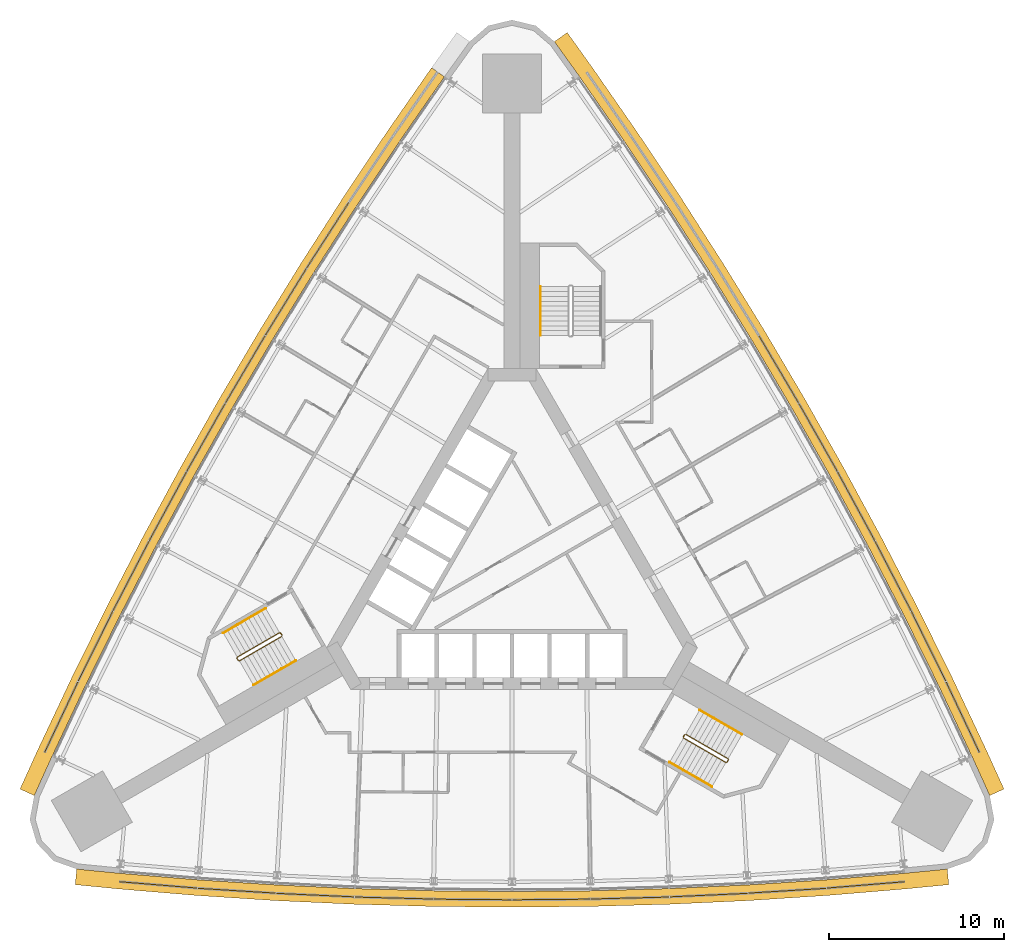
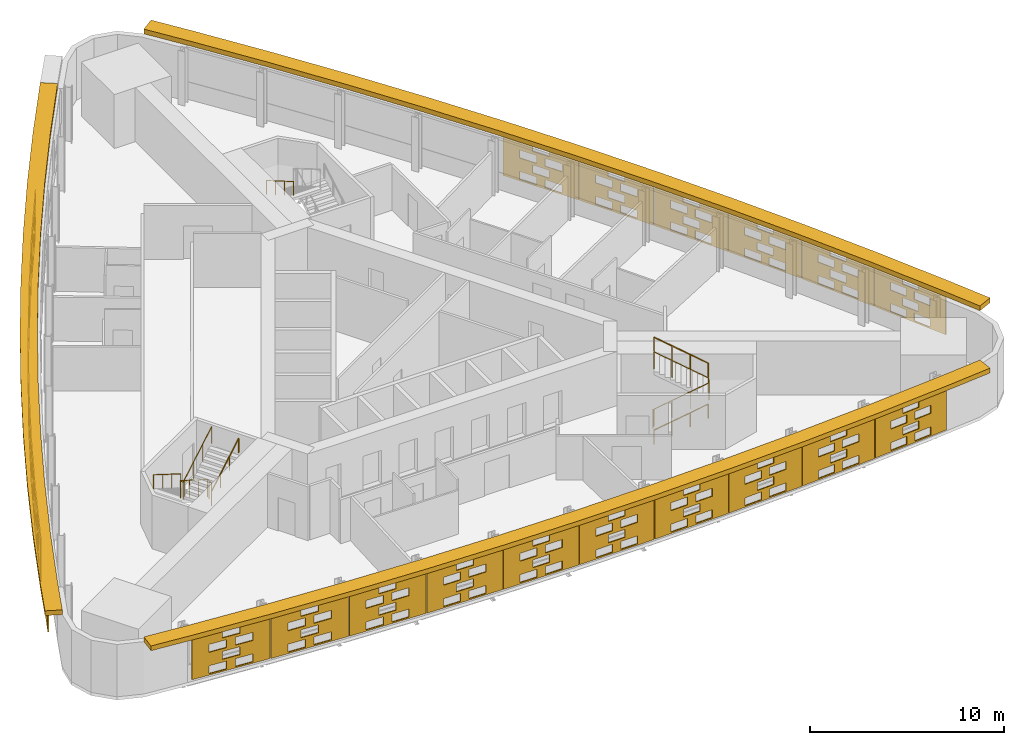
# One storey, part 14 of 15: 27 shading devices, 7 railings.
"""IFC4 building model written with IfcOpenShell, lengths in metres."""

from ifc_helpers import new_model, si_unit, direction, frame, origin, origin_2d, place, context, subcontext, project, spatial, polyline, circle, outline, extrude, material, material_profile, profile_set, type_object, element, save


model = new_model("IFC4")

# Units and contexts
model_context = context("Model", 3, precision=1e-05, world=origin(), true_north=direction((0.0, 1.0)))
body_context = subcontext(model_context, "Body", "Model", "MODEL_VIEW")
ifc_project = project(units=[si_unit("LENGTHUNIT", "METRE"), si_unit("AREAUNIT", "SQUARE_METRE"), si_unit("VOLUMEUNIT", "CUBIC_METRE"), si_unit("PLANEANGLEUNIT", "RADIAN"), si_unit("MASSUNIT", "GRAM", prefix="KILO")], contexts=[model_context])

# Site, building, storey
site_placement = place(None, origin())
site = spatial("IfcSite", under=ifc_project, at=site_placement, CompositionType="ELEMENT")
building_placement = place(site_placement, origin())
building = spatial("IfcBuilding", under=site, at=building_placement, Name="Noor Cloister Tower", CompositionType="ELEMENT")
storey_placement = place(building_placement, frame((0.0, 0.0, 27.60009765625)))
storey = spatial("IfcBuildingStorey", under=building, at=storey_placement, Name="L06", CompositionType="ELEMENT", Elevation=27.60009765625)

# Shading devices
ifc_material_1 = material(Name="Limestone", Category="masonry")
ifc_material_profile = material_profile(ifc_material_1, outline(polyline([(-2.22998046875, -1.35009765625), (2.22998046875, -1.35009765625), (2.22998046875, 1.35009765625), (-2.22998046875, 1.35009765625), (-2.22998046875, -1.35009765625)]), holes=[polyline([(-1.25, -1.263427734375), (-0.25, -1.263427734375), (-0.25, -0.76171875), (-1.25, -0.76171875), (-1.25, -1.263427734375)]), polyline([(0.25, -1.263427734375), (1.25, -1.263427734375), (1.25, -0.76171875), (0.25, -0.76171875), (0.25, -1.263427734375)]), polyline([(-0.5, -0.58837890625), (0.5, -0.58837890625), (0.5, -0.086669921875), (-0.5, -0.086669921875), (-0.5, -0.58837890625)]), polyline([(-1.25, 0.086669921875), (-0.25, 0.086669921875), (-0.25, 0.58837890625), (-1.25, 0.58837890625), (-1.25, 0.086669921875)]), polyline([(0.25, 0.086669921875), (1.25, 0.086669921875), (1.25, 0.58837890625), (0.25, 0.58837890625), (0.25, 0.086669921875)]), polyline([(-0.5, 0.76171875), (0.5, 0.76171875), (0.5, 1.263427734375), (-0.5, 1.263427734375), (-0.5, 0.76171875)])]), Name="Woven screen 25 percent open")
ifc_profile_set = profile_set([ifc_material_profile], Name="Limestone")
shading_device_type_1 = type_object("IfcShadingDeviceType", Name="SCREEN woven limestone 25 percent open", PredefinedType="USERDEFINED", material=ifc_profile_set)
for number, where, z_axis, x_axis, name in (
    (1, (-10.528076171875, 19.087646484375, 1.849853515625), (-0.841310503427, 0.540552159207, 0.0), (-0.540552159207, -0.841310503427, 0.0), "SCREEN L06 3"),
    (2, (-12.92529296875, 15.269775390625, 1.849853515625), (-0.852075986308, 0.523418105875, 0.0), (-0.523418105875, -0.852075986308, 0.0), "SCREEN L06 4"),
    (3, (-15.25146484375, 11.408203125, 1.849853515625), (-0.86141148773, 0.507907716822, 0.0), (-0.507907716822, -0.86141148773, 0.0), "SCREEN L06 5"),
    (4, (-17.505615234375, 7.504150390625, 1.849853515625), (-0.87048706901, 0.492191286683, 0.0), (-0.492191286683, -0.87048706901, 0.0), "SCREEN L06 6"),
    (5, (-19.686767578125, 3.558837890625, 1.849853515625), (-0.879291966537, 0.476283148541, 0.0), (-0.476283148541, -0.879291966537, 0.0), "SCREEN L06 7"),
    (6, (-21.79443359375, -0.42626953125, 1.849853515625), (-0.887816162103, 0.460198285861, 0.0), (-0.460198285861, -0.887816162103, 0.0), "SCREEN L06 8"),
    (7, (-23.827880859375, -4.44970703125, 1.849853515625), (-0.896050438544, 0.443952262733, 0.0), (-0.443952262733, -0.896050438544, 0.0), "SCREEN L06 9"),
    (8, (-25.7861328125, -8.51025390625, 1.849853515625), (-0.90398642908, 0.427561148889, 0.0), (-0.427561148889, -0.90398642908, 0.0), "SCREEN L06 10"),
    (9, (-20.26318359375, -18.076416015625, 1.849853515625), (-0.081362009455, -0.996684615823, 0.0), (0.996684615823, -0.081362009455, 0.0), "SCREEN L06 1"),
):
    element("IfcShadingDevice", number, at=place(storey_placement, frame(where, z_axis=z_axis, x_axis=x_axis)), inside=storey, type_object=shading_device_type_1, Name=name, ObjectType="SCREEN", PredefinedType="USERDEFINED", context=body_context, shape_type="SweptSolid", body=[
        extrude(outline(polyline([(-2.22998046875, -1.35009765625), (2.22998046875, -1.35009765625), (2.22998046875, 1.35009765625), (-2.22998046875, 1.35009765625), (-2.22998046875, -1.35009765625)]), holes=[polyline([(-1.25, -1.263427734375), (-0.25, -1.263427734375), (-0.25, -0.76171875), (-1.25, -0.76171875), (-1.25, -1.263427734375)]), polyline([(0.25, -1.263427734375), (1.25, -1.263427734375), (1.25, -0.76171875), (0.25, -0.76171875), (0.25, -1.263427734375)]), polyline([(-0.5, -0.58837890625), (0.5, -0.58837890625), (0.5, -0.086669921875), (-0.5, -0.086669921875), (-0.5, -0.58837890625)]), polyline([(-1.25, 0.086669921875), (-0.25, 0.086669921875), (-0.25, 0.58837890625), (-1.25, 0.58837890625), (-1.25, 0.086669921875)]), polyline([(0.25, 0.086669921875), (1.25, 0.086669921875), (1.25, 0.58837890625), (0.25, 0.58837890625), (0.25, 0.086669921875)]), polyline([(-0.5, 0.76171875), (0.5, 0.76171875), (0.5, 1.263427734375), (-0.5, 1.263427734375), (-0.5, 0.76171875)])]), origin(), (0.0, 0.0, 1.0), 0.06005859375),
    ])
shading_device_1_placement = place(storey_placement, frame((-15.767578125, -18.41064453125, 1.849853515625), z_axis=(-0.06111006328, -0.998131033565, 0.0), x_axis=(0.998131033565, -0.06111006328, 0.0)))
element("IfcShadingDevice", 10, at=shading_device_1_placement, inside=storey, type_object=shading_device_type_1, Name="SCREEN L06 2", ObjectType="SCREEN", PredefinedType="USERDEFINED", context=body_context, shape_type="SweptSolid", body=[
    extrude(outline(polyline([(-2.22998046875, -1.35009765625), (2.22998046875, -1.35009765625), (2.22998046875, 1.35009765625), (-2.22998046875, 1.35009765625), (-2.22998046875, -1.35009765625)]), holes=[polyline([(-1.25, -1.263427734375), (-0.25, -1.263427734375), (-0.25, -0.76171875), (-1.25, -0.76171875), (-1.25, -1.263427734375)]), polyline([(0.25, -1.263427734375), (1.25, -1.263427734375), (1.25, -0.76171875), (0.25, -0.76171875), (0.25, -1.263427734375)]), polyline([(-0.5, -0.58837890625), (0.5, -0.58837890625), (0.5, -0.086669921875), (-0.5, -0.086669921875), (-0.5, -0.58837890625)]), polyline([(-1.25, 0.086669921875), (-0.25, 0.086669921875), (-0.25, 0.58837890625), (-1.25, 0.58837890625), (-1.25, 0.086669921875)]), polyline([(0.25, 0.086669921875), (1.25, 0.086669921875), (1.25, 0.58837890625), (0.25, 0.58837890625), (0.25, 0.086669921875)]), polyline([(-0.5, 0.76171875), (0.5, 0.76171875), (0.5, 1.263427734375), (-0.5, 1.263427734375), (-0.5, 0.76171875)])]), origin(), (0.0, 0.0, 1.0), 0.059814453125),
])
for number, where, z_axis, x_axis, name in (
    (11, (-11.266357421875, -18.661376953125, 1.849853515625), (-0.044670810456, -0.999001761106, 0.0), (0.999001761106, -0.044670810456, 0.0), "SCREEN L06 3"),
    (12, (-6.761474609375, -18.82861328125, 1.849853515625), (-0.024382992455, -0.999702690643, 0.0), (0.999702690643, -0.024382992455, 0.0), "SCREEN L06 4"),
):
    element("IfcShadingDevice", number, at=place(storey_placement, frame(where, z_axis=z_axis, x_axis=x_axis)), inside=storey, type_object=shading_device_type_1, Name=name, ObjectType="SCREEN", PredefinedType="USERDEFINED", context=body_context, shape_type="SweptSolid", body=[
        extrude(outline(polyline([(-2.22998046875, -1.35009765625), (2.22998046875, -1.35009765625), (2.22998046875, 1.35009765625), (-2.22998046875, 1.35009765625), (-2.22998046875, -1.35009765625)]), holes=[polyline([(-1.25, -1.263427734375), (-0.25, -1.263427734375), (-0.25, -0.76171875), (-1.25, -0.76171875), (-1.25, -1.263427734375)]), polyline([(0.25, -1.263427734375), (1.25, -1.263427734375), (1.25, -0.76171875), (0.25, -0.76171875), (0.25, -1.263427734375)]), polyline([(-0.5, -0.58837890625), (0.5, -0.58837890625), (0.5, -0.086669921875), (-0.5, -0.086669921875), (-0.5, -0.58837890625)]), polyline([(-1.25, 0.086669921875), (-0.25, 0.086669921875), (-0.25, 0.58837890625), (-1.25, 0.58837890625), (-1.25, 0.086669921875)]), polyline([(0.25, 0.086669921875), (1.25, 0.086669921875), (1.25, 0.58837890625), (0.25, 0.58837890625), (0.25, 0.086669921875)]), polyline([(-0.5, 0.76171875), (0.5, 0.76171875), (0.5, 1.263427734375), (-0.5, 1.263427734375), (-0.5, 0.76171875)])]), origin(), (0.0, 0.0, 1.0), 0.06005859375),
    ])
for number, where, z_axis, x_axis, name in (
    (13, (-2.254150390625, -18.912353515625, 1.849853515625), (-0.008162993324, -0.999966682215, 0.0), (0.999966682215, -0.008162993324, 0.0), "SCREEN L06 5"),
    (14, (2.254150390625, -18.912353515625, 1.849853515625), (0.008162993324, -0.999966682215, 0.0), (0.999966682215, 0.008162993324, 0.0), "SCREEN L06 6"),
):
    element("IfcShadingDevice", number, at=place(storey_placement, frame(where, z_axis=z_axis, x_axis=x_axis)), inside=storey, type_object=shading_device_type_1, Name=name, ObjectType="SCREEN", PredefinedType="USERDEFINED", context=body_context, shape_type="SweptSolid", body=[
        extrude(outline(polyline([(-2.22998046875, -1.35009765625), (2.22998046875, -1.35009765625), (2.22998046875, 1.35009765625), (-2.22998046875, 1.35009765625), (-2.22998046875, -1.35009765625)]), holes=[polyline([(-1.25, -1.263427734375), (-0.25, -1.263427734375), (-0.25, -0.76171875), (-1.25, -0.76171875), (-1.25, -1.263427734375)]), polyline([(0.25, -1.263427734375), (1.25, -1.263427734375), (1.25, -0.76171875), (0.25, -0.76171875), (0.25, -1.263427734375)]), polyline([(-0.5, -0.58837890625), (0.5, -0.58837890625), (0.5, -0.086669921875), (-0.5, -0.086669921875), (-0.5, -0.58837890625)]), polyline([(-1.25, 0.086669921875), (-0.25, 0.086669921875), (-0.25, 0.58837890625), (-1.25, 0.58837890625), (-1.25, 0.086669921875)]), polyline([(0.25, 0.086669921875), (1.25, 0.086669921875), (1.25, 0.58837890625), (0.25, 0.58837890625), (0.25, 0.086669921875)]), polyline([(-0.5, 0.76171875), (0.5, 0.76171875), (0.5, 1.263427734375), (-0.5, 1.263427734375), (-0.5, 0.76171875)])]), origin(), (0.0, 0.0, 1.0), 0.059814453125),
    ])
for number, where, z_axis, x_axis, name in (
    (15, (6.761474609375, -18.82861328125, 1.849853515625), (0.024382992455, -0.999702690643, 0.0), (0.999702690643, 0.024382992455, 0.0), "SCREEN L06 7"),
    (16, (11.266357421875, -18.661376953125, 1.849853515625), (0.044670810456, -0.999001761106, 0.0), (0.999001761106, 0.044670810456, 0.0), "SCREEN L06 8"),
):
    element("IfcShadingDevice", number, at=place(storey_placement, frame(where, z_axis=z_axis, x_axis=x_axis)), inside=storey, type_object=shading_device_type_1, Name=name, ObjectType="SCREEN", PredefinedType="USERDEFINED", context=body_context, shape_type="SweptSolid", body=[
        extrude(outline(polyline([(-2.22998046875, -1.35009765625), (2.22998046875, -1.35009765625), (2.22998046875, 1.35009765625), (-2.22998046875, 1.35009765625), (-2.22998046875, -1.35009765625)]), holes=[polyline([(-1.25, -1.263427734375), (-0.25, -1.263427734375), (-0.25, -0.76171875), (-1.25, -0.76171875), (-1.25, -1.263427734375)]), polyline([(0.25, -1.263427734375), (1.25, -1.263427734375), (1.25, -0.76171875), (0.25, -0.76171875), (0.25, -1.263427734375)]), polyline([(-0.5, -0.58837890625), (0.5, -0.58837890625), (0.5, -0.086669921875), (-0.5, -0.086669921875), (-0.5, -0.58837890625)]), polyline([(-1.25, 0.086669921875), (-0.25, 0.086669921875), (-0.25, 0.58837890625), (-1.25, 0.58837890625), (-1.25, 0.086669921875)]), polyline([(0.25, 0.086669921875), (1.25, 0.086669921875), (1.25, 0.58837890625), (0.25, 0.58837890625), (0.25, 0.086669921875)]), polyline([(-0.5, 0.76171875), (0.5, 0.76171875), (0.5, 1.263427734375), (-0.5, 1.263427734375), (-0.5, 0.76171875)])]), origin(), (0.0, 0.0, 1.0), 0.06005859375),
    ])
shading_device_2_placement = place(storey_placement, frame((15.767578125, -18.41064453125, 1.849853515625), z_axis=(0.06111006328, -0.998131033565, 0.0), x_axis=(0.998131033565, 0.06111006328, 0.0)))
element("IfcShadingDevice", 17, at=shading_device_2_placement, inside=storey, type_object=shading_device_type_1, Name="SCREEN L06 9", ObjectType="SCREEN", PredefinedType="USERDEFINED", context=body_context, shape_type="SweptSolid", body=[
    extrude(outline(polyline([(-2.22998046875, -1.35009765625), (2.22998046875, -1.35009765625), (2.22998046875, 1.35009765625), (-2.22998046875, 1.35009765625), (-2.22998046875, -1.35009765625)]), holes=[polyline([(-1.25, -1.263427734375), (-0.25, -1.263427734375), (-0.25, -0.76171875), (-1.25, -0.76171875), (-1.25, -1.263427734375)]), polyline([(0.25, -1.263427734375), (1.25, -1.263427734375), (1.25, -0.76171875), (0.25, -0.76171875), (0.25, -1.263427734375)]), polyline([(-0.5, -0.58837890625), (0.5, -0.58837890625), (0.5, -0.086669921875), (-0.5, -0.086669921875), (-0.5, -0.58837890625)]), polyline([(-1.25, 0.086669921875), (-0.25, 0.086669921875), (-0.25, 0.58837890625), (-1.25, 0.58837890625), (-1.25, 0.086669921875)]), polyline([(0.25, 0.086669921875), (1.25, 0.086669921875), (1.25, 0.58837890625), (0.25, 0.58837890625), (0.25, 0.086669921875)]), polyline([(-0.5, 0.76171875), (0.5, 0.76171875), (0.5, 1.263427734375), (-0.5, 1.263427734375), (-0.5, 0.76171875)])]), origin(), (0.0, 0.0, 1.0), 0.059814453125),
])
for number, where, z_axis, x_axis, name in (
    (18, (20.26318359375, -18.076416015625, 1.849853515625), (0.081362009455, -0.996684615823, 0.0), (0.996684615823, 0.081362009455, 0.0), "SCREEN L06 10"),
    (19, (25.7861328125, -8.51025390625, 1.849853515625), (0.90398642908, 0.427561148889, 0.0), (-0.427561148889, 0.90398642908, 0.0), "SCREEN L06 1"),
    (20, (23.827880859375, -4.44970703125, 1.849853515625), (0.896050438544, 0.443952262733, 0.0), (-0.443952262733, 0.896050438544, 0.0), "SCREEN L06 2"),
    (21, (21.79443359375, -0.42626953125, 1.849853515625), (0.887816162103, 0.460198285861, 0.0), (-0.460198285861, 0.887816162103, 0.0), "SCREEN L06 3"),
    (22, (19.686767578125, 3.558837890625, 1.849853515625), (0.879291966537, 0.476283148541, 0.0), (-0.476283148541, 0.879291966537, 0.0), "SCREEN L06 4"),
    (23, (17.505615234375, 7.504150390625, 1.849853515625), (0.87048706901, 0.492191286683, 0.0), (-0.492191286683, 0.87048706901, 0.0), "SCREEN L06 5"),
    (24, (15.25146484375, 11.408203125, 1.849853515625), (0.86141148773, 0.507907716822, 0.0), (-0.507907716822, 0.86141148773, 0.0), "SCREEN L06 6"),
):
    element("IfcShadingDevice", number, at=place(storey_placement, frame(where, z_axis=z_axis, x_axis=x_axis)), inside=storey, type_object=shading_device_type_1, Name=name, ObjectType="SCREEN", PredefinedType="USERDEFINED", context=body_context, shape_type="SweptSolid", body=[
        extrude(outline(polyline([(-2.22998046875, -1.35009765625), (2.22998046875, -1.35009765625), (2.22998046875, 1.35009765625), (-2.22998046875, 1.35009765625), (-2.22998046875, -1.35009765625)]), holes=[polyline([(-1.25, -1.263427734375), (-0.25, -1.263427734375), (-0.25, -0.76171875), (-1.25, -0.76171875), (-1.25, -1.263427734375)]), polyline([(0.25, -1.263427734375), (1.25, -1.263427734375), (1.25, -0.76171875), (0.25, -0.76171875), (0.25, -1.263427734375)]), polyline([(-0.5, -0.58837890625), (0.5, -0.58837890625), (0.5, -0.086669921875), (-0.5, -0.086669921875), (-0.5, -0.58837890625)]), polyline([(-1.25, 0.086669921875), (-0.25, 0.086669921875), (-0.25, 0.58837890625), (-1.25, 0.58837890625), (-1.25, 0.086669921875)]), polyline([(0.25, 0.086669921875), (1.25, 0.086669921875), (1.25, 0.58837890625), (0.25, 0.58837890625), (0.25, 0.086669921875)]), polyline([(-0.5, 0.76171875), (0.5, 0.76171875), (0.5, 1.263427734375), (-0.5, 1.263427734375), (-0.5, 0.76171875)])]), origin(), (0.0, 0.0, 1.0), 0.06005859375),
    ])
ifc_material_2 = material(Name="Limestone", Category="masonry")
shading_device_type_2 = type_object("IfcShadingDeviceType", Name="SUNSHADE limestone band 900", PredefinedType="USERDEFINED", material=ifc_material_2)
shading_device_3_placement = place(storey_placement, frame((0.0, 0.0, 3.2998046875)))
element("IfcShadingDevice", 25, at=shading_device_3_placement, inside=storey, type_object=shading_device_type_2, Name="SUNSHADE L06 1", ObjectType="SUNSHADE", PredefinedType="USERDEFINED", context=body_context, shape_type="SweptSolid", body=[
    extrude(outline(polyline([(-4.60888671875, 28.691162109375), (-7.180908203125, 24.988525390625), (-9.688232421875, 21.231689453125), (-12.12548828125, 17.42919921875), (-14.491943359375, 13.58203125), (-16.786376953125, 9.691650390625), (-19.00830078125, 5.75927734375), (-21.156982421875, 1.786376953125), (-23.2314453125, -2.2255859375), (-25.231201171875, -6.275390625), (-27.154541015625, -10.35986328125), (-28.178466796875, -12.617919921875), (-27.35888671875, -12.989501953125), (-26.337646484375, -10.737548828125), (-24.42041015625, -6.66650390625), (-22.42822265625, -2.631591796875), (-20.361328125, 1.36572265625), (-18.220703125, 5.32373046875), (-16.0068359375, 9.24169921875), (-13.720947265625, 13.11767578125), (-11.36328125, 16.950439453125), (-8.93505859375, 20.739013671875), (-6.43701171875, 24.48193359375), (-3.869873046875, 28.177734375), (-4.60888671875, 28.691162109375)])), origin(), (0.0, 0.0, 1.0), 0.300048828125),
])
shading_device_4_placement = place(storey_placement, frame((0.0, 0.0, 3.2998046875)))
element("IfcShadingDevice", 26, at=shading_device_4_placement, inside=storey, type_object=shading_device_type_2, Name="SUNSHADE L06 2", ObjectType="SUNSHADE", PredefinedType="USERDEFINED", context=body_context, shape_type="SweptSolid", body=[
    extrude(outline(polyline([(-25.0166015625, -18.09423828125), (-22.54931640625, -18.336669921875), (-18.05029296875, -18.713134765625), (-13.543212890625, -19.006103515625), (-9.03125, -19.215576171875), (-4.516357421875, -19.34130859375), (0.0, -19.38330078125), (4.516357421875, -19.34130859375), (9.03125, -19.215576171875), (13.543212890625, -19.006103515625), (18.05029296875, -18.713134765625), (22.54931640625, -18.336669921875), (25.0166015625, -18.09423828125), (24.9287109375, -17.19873046875), (22.4677734375, -17.440185546875), (17.9833984375, -17.8154296875), (13.492919921875, -18.107421875), (8.998046875, -18.316162109375), (4.499755859375, -18.44140625), (0.0, -18.483154296875), (-4.499755859375, -18.44140625), (-8.998046875, -18.316162109375), (-13.492919921875, -18.107421875), (-17.9833984375, -17.8154296875), (-22.4677734375, -17.440185546875), (-24.9287109375, -17.19873046875), (-25.0166015625, -18.09423828125)])), origin(), (0.0, 0.0, 1.0), 0.300048828125),
])
shading_device_5_placement = place(storey_placement, frame((0.0, 0.0, 3.2998046875)))
element("IfcShadingDevice", 27, at=shading_device_5_placement, inside=storey, type_object=shading_device_type_2, Name="SUNSHADE L06 3", ObjectType="SUNSHADE", PredefinedType="USERDEFINED", context=body_context, shape_type="SweptSolid", body=[
    extrude(outline(polyline([(28.178466796875, -12.617919921875), (27.154541015625, -10.35986328125), (25.231201171875, -6.275390625), (23.2314453125, -2.2255859375), (21.156982421875, 1.786376953125), (19.00830078125, 5.75927734375), (16.786376953125, 9.691650390625), (14.491943359375, 13.58203125), (12.12548828125, 17.42919921875), (9.688232421875, 21.231689453125), (7.180908203125, 24.988525390625), (4.605224609375, 28.696533203125), (3.161865234375, 30.712158203125), (2.43017578125, 30.188232421875), (3.869873046875, 28.177734375), (6.43701171875, 24.48193359375), (8.93505859375, 20.739013671875), (11.36328125, 16.950439453125), (13.720947265625, 13.11767578125), (16.0068359375, 9.24169921875), (18.220703125, 5.32373046875), (20.361328125, 1.36572265625), (22.42822265625, -2.631591796875), (24.42041015625, -6.66650390625), (26.337646484375, -10.737548828125), (27.35888671875, -12.989501953125), (28.178466796875, -12.617919921875)])), origin(), (0.0, 0.0, 1.0), 0.300048828125),
])

# Railings
ifc_material_3 = material(Name="Stainless steel", Category="steel")
railing_type_1 = type_object("IfcRailingType", Name="Stair guard 1100", PredefinedType="GUARDRAIL", material=ifc_material_3)
railing_1_placement = place(storey_placement, frame((-13.241455078125, -3.677734375, 0.0)))
element("IfcRailing", 28, at=railing_1_placement, inside=storey, type_object=railing_type_1, Name="Stair guard ST2 L06", PredefinedType="GUARDRAIL", context=body_context, shape_type="SweptSolid", body=[
    extrude(circle(Radius=0.02392578125, at=origin_2d()), frame((0.0, 0.0, 1.076171875), z_axis=(0.499112439033, -0.866537231285, 0.0), x_axis=(0.866537231285, 0.499112439033, 0.0)), (0.0, 0.0, 1.0), 0.150146484375),
    extrude(circle(Radius=0.02392578125, at=origin_2d()), frame((0.074951171875, -0.130126953125, 1.076171875), z_axis=(-0.544565797804, 0.563119998752, 0.621565731736), x_axis=(-0.718850276695, -0.695164929852, 0.0)), (0.0, 0.0, 1.0), 0.26318359375),
    extrude(circle(Radius=0.02392578125, at=origin_2d()), frame((-0.068359375, 0.01806640625, 1.23974609375), z_axis=(-0.74771821388, -0.431677027627, 0.504551698492), x_axis=(0.49998411664, -0.866034573852, 0.0)), (0.0, 0.0, 1.0), 3.242919921875),
    extrude(circle(Radius=0.02392578125, at=origin_2d()), frame((-2.4931640625, -1.3818359375, 2.8759765625), z_axis=(-0.258736085224, -0.965948051503, 0.0), x_axis=(0.965948051503, -0.258736085224, 0.0)), (0.0, 0.0, 1.0), 0.07080078125),
    extrude(circle(Radius=0.02392578125, at=origin_2d()), frame((-2.511474609375, -1.4501953125, 2.8759765625), z_axis=(0.499816412211, -0.866131372301, 0.0), x_axis=(0.866131372301, 0.499816412211, 0.0)), (0.0, 0.0, 1.0), 0.14990234375),
    extrude(circle(Radius=0.02392578125, at=origin_2d()), frame((-2.4365234375, -1.580078125, 2.8759765625), z_axis=(0.383070988865, -0.102608300589, 0.918002262601), x_axis=(0.258736085224, 0.965948051503, 0.0)), (0.0, 0.0, 1.0), 0.178466796875),
    extrude(circle(Radius=0.02392578125, at=origin_2d()), frame((-2.3681640625, -1.598388671875, 3.03955078125), z_axis=(0.747693913401, 0.431738279637, 0.504535300807), x_axis=(-0.500049511043, 0.865996816683, 0.0)), (0.0, 0.0, 1.0), 3.2431640625),
    extrude(circle(Radius=0.02099609375, at=origin_2d()), origin(), (0.0, 0.0, 1.0), 1.052001953125),
    extrude(circle(Radius=0.02099609375, at=origin_2d()), frame((0.074951171875, -0.130126953125, 0.0)), (0.0, 0.0, 1.0), 1.052001953125),
    extrude(circle(Radius=0.02099609375, at=origin_2d()), frame((-0.068359375, 0.01806640625, 0.16357421875)), (0.0, 0.0, 1.0), 1.052001953125),
    extrude(circle(Radius=0.02099609375, at=origin_2d()), frame((-0.876708984375, -0.448486328125, 0.708984375)), (0.0, 0.0, 1.0), 1.052001953125),
    extrude(circle(Radius=0.02099609375, at=origin_2d()), frame((-1.684814453125, -0.915283203125, 1.25439453125)), (0.0, 0.0, 1.0), 1.052001953125),
    extrude(circle(Radius=0.02099609375, at=origin_2d()), frame((-2.4931640625, -1.3818359375, 1.7998046875)), (0.0, 0.0, 1.0), 1.052001953125),
    extrude(circle(Radius=0.02099609375, at=origin_2d()), frame((-2.511474609375, -1.4501953125, 1.7998046875)), (0.0, 0.0, 1.0), 1.052001953125),
    extrude(circle(Radius=0.02099609375, at=origin_2d()), frame((-2.4365234375, -1.580078125, 1.7998046875)), (0.0, 0.0, 1.0), 1.052001953125),
    extrude(circle(Radius=0.02099609375, at=origin_2d()), frame((-2.3681640625, -1.598388671875, 1.963623046875)), (0.0, 0.0, 1.0), 1.052001953125),
    extrude(circle(Radius=0.02099609375, at=origin_2d()), frame((-1.559814453125, -1.131591796875, 2.509033203125)), (0.0, 0.0, 1.0), 1.052001953125),
    extrude(circle(Radius=0.02099609375, at=origin_2d()), frame((-0.751708984375, -0.6650390625, 3.054443359375)), (0.0, 0.0, 1.0), 1.052001953125),
    extrude(circle(Radius=0.02099609375, at=origin_2d()), frame((0.056640625, -0.1982421875, 3.599853515625)), (0.0, 0.0, 1.0), 1.052001953125),
])
railing_2_placement = place(storey_placement, frame((9.805908203125, -9.628662109375, 0.0)))
element("IfcRailing", 29, at=railing_2_placement, inside=storey, type_object=railing_type_1, Name="Stair guard ST3 L06", PredefinedType="GUARDRAIL", context=body_context, shape_type="SweptSolid", body=[
    extrude(circle(Radius=0.02392578125, at=origin_2d()), frame((0.0, 0.0, 1.076171875), z_axis=(0.499112439033, 0.866537231285, 0.0), x_axis=(-0.866537231285, 0.499112439033, 0.0)), (0.0, 0.0, 1.0), 0.150146484375),
    extrude(circle(Radius=0.02392578125, at=origin_2d()), frame((0.074951171875, 0.130126953125, 1.076171875), z_axis=(-0.215214839654, -0.753251938789, 0.621525614518), x_axis=(0.961523947641, -0.274721127897, 0.0)), (0.0, 0.0, 1.0), 0.26318359375),
    extrude(circle(Radius=0.02392578125, at=origin_2d()), frame((0.018310546875, -0.068115234375, 1.23974609375), z_axis=(0.747693913401, -0.431738279637, 0.504535300807), x_axis=(0.500049511043, 0.865996816683, 0.0)), (0.0, 0.0, 1.0), 3.2431640625),
    extrude(circle(Radius=0.02392578125, at=origin_2d()), frame((2.443115234375, -1.46826171875, 2.8759765625), z_axis=(0.965948051503, 0.258736085224, 0.0), x_axis=(-0.258736085224, 0.965948051503, 0.0)), (0.0, 0.0, 1.0), 0.07080078125),
    extrude(circle(Radius=0.02392578125, at=origin_2d()), frame((2.511474609375, -1.449951171875, 2.8759765625), z_axis=(0.499816412211, 0.866131372301, 0.0), x_axis=(-0.866131372301, 0.499816412211, 0.0)), (0.0, 0.0, 1.0), 0.14990234375),
    extrude(circle(Radius=0.02392578125, at=origin_2d()), frame((2.58642578125, -1.320068359375, 2.8759765625), z_axis=(-0.102608300589, 0.383070988865, 0.918002262601), x_axis=(-0.965948051503, -0.258736085224, 0.0)), (0.0, 0.0, 1.0), 0.178466796875),
    extrude(circle(Radius=0.02392578125, at=origin_2d()), frame((2.568115234375, -1.251708984375, 3.03955078125), z_axis=(-0.74771821388, 0.431677027627, 0.504551698492), x_axis=(-0.49998411664, -0.866034573852, 0.0)), (0.0, 0.0, 1.0), 3.242919921875),
    extrude(circle(Radius=0.02099609375, at=origin_2d()), origin(), (0.0, 0.0, 1.0), 1.052001953125),
    extrude(circle(Radius=0.02099609375, at=origin_2d()), frame((0.074951171875, 0.130126953125, 0.0)), (0.0, 0.0, 1.0), 1.052001953125),
    extrude(circle(Radius=0.02099609375, at=origin_2d()), frame((0.018310546875, -0.068115234375, 0.16357421875)), (0.0, 0.0, 1.0), 1.052001953125),
    extrude(circle(Radius=0.02099609375, at=origin_2d()), frame((0.82666015625, -0.534912109375, 0.708984375)), (0.0, 0.0, 1.0), 1.052001953125),
    extrude(circle(Radius=0.02099609375, at=origin_2d()), frame((1.634765625, -1.00146484375, 1.25439453125)), (0.0, 0.0, 1.0), 1.052001953125),
    extrude(circle(Radius=0.02099609375, at=origin_2d()), frame((2.443115234375, -1.46826171875, 1.7998046875)), (0.0, 0.0, 1.0), 1.052001953125),
    extrude(circle(Radius=0.02099609375, at=origin_2d()), frame((2.511474609375, -1.449951171875, 1.7998046875)), (0.0, 0.0, 1.0), 1.052001953125),
    extrude(circle(Radius=0.02099609375, at=origin_2d()), frame((2.58642578125, -1.320068359375, 1.7998046875)), (0.0, 0.0, 1.0), 1.052001953125),
    extrude(circle(Radius=0.02099609375, at=origin_2d()), frame((2.568115234375, -1.251708984375, 1.963623046875)), (0.0, 0.0, 1.0), 1.052001953125),
    extrude(circle(Radius=0.02099609375, at=origin_2d()), frame((1.759765625, -0.78515625, 2.509033203125)), (0.0, 0.0, 1.0), 1.052001953125),
    extrude(circle(Radius=0.02099609375, at=origin_2d()), frame((0.95166015625, -0.318359375, 3.054443359375)), (0.0, 0.0, 1.0), 1.052001953125),
    extrude(circle(Radius=0.02099609375, at=origin_2d()), frame((0.143310546875, 0.148193359375, 3.599853515625)), (0.0, 0.0, 1.0), 1.052001953125),
])
ifc_material_4 = material(Name="Stainless steel", Category="steel")
railing_type_2 = type_object("IfcRailingType", Name="Stair handrail 900", PredefinedType="HANDRAIL", material=ifc_material_4)
railing_3_placement = place(storey_placement, frame((1.6357421875, 16.156494140625, 1.963623046875)))
element("IfcRailing", 30, at=railing_3_placement, inside=storey, type_object=railing_type_2, Name="Stair handrail ST1 L06 2", PredefinedType="HANDRAIL", context=body_context, shape_type="SweptSolid", body=[
    extrude(circle(Radius=0.02392578125, at=origin_2d()), frame((0.0, 0.0, 0.8759765625), z_axis=(0.0, -0.863393664356, 0.504530851732), x_axis=(1.0, 0.0, 0.0)), (0.0, 0.0, 1.0), 3.2431640625),
    extrude(circle(Radius=0.02099609375, at=origin_2d()), origin(), (0.0, 0.0, 1.0), 0.851806640625),
    extrude(circle(Radius=0.02099609375, at=origin_2d()), frame((0.0, -0.933349609375, 0.54541015625)), (0.0, 0.0, 1.0), 0.851806640625),
    extrude(circle(Radius=0.02099609375, at=origin_2d()), frame((0.0, -1.86669921875, 1.0908203125)), (0.0, 0.0, 1.0), 0.851806640625),
    extrude(circle(Radius=0.02099609375, at=origin_2d()), frame((0.0, -2.800048828125, 1.63623046875)), (0.0, 0.0, 1.0), 0.851806640625),
])
railing_4_placement = place(storey_placement, frame((-14.10986328125, -2.27392578125, 0.16357421875)))
element("IfcRailing", 31, at=railing_4_placement, inside=storey, type_object=railing_type_2, Name="Stair handrail ST2 L06 1", PredefinedType="HANDRAIL", context=body_context, shape_type="SweptSolid", body=[
    extrude(circle(Radius=0.02392578125, at=origin_2d()), frame((0.0, 0.0, 0.8759765625), z_axis=(-0.74771821388, -0.431677027627, 0.504551698492), x_axis=(0.49998411664, -0.866034573852, 0.0)), (0.0, 0.0, 1.0), 3.242919921875),
    extrude(circle(Radius=0.02099609375, at=origin_2d()), origin(), (0.0, 0.0, 1.0), 0.851806640625),
    extrude(circle(Radius=0.02099609375, at=origin_2d()), frame((-0.808349609375, -0.466552734375, 0.54541015625)), (0.0, 0.0, 1.0), 0.851806640625),
    extrude(circle(Radius=0.02099609375, at=origin_2d()), frame((-1.616455078125, -0.933349609375, 1.0908203125)), (0.0, 0.0, 1.0), 0.851806640625),
    extrude(circle(Radius=0.02099609375, at=origin_2d()), frame((-2.4248046875, -1.39990234375, 1.63623046875)), (0.0, 0.0, 1.0), 0.851806640625),
])
railing_5_placement = place(storey_placement, frame((-14.8095703125, -6.66162109375, 1.963623046875)))
element("IfcRailing", 32, at=railing_5_placement, inside=storey, type_object=railing_type_2, Name="Stair handrail ST2 L06 2", PredefinedType="HANDRAIL", context=body_context, shape_type="SweptSolid", body=[
    extrude(circle(Radius=0.02392578125, at=origin_2d()), frame((0.0, 0.0, 0.8759765625), z_axis=(0.74771821388, 0.431677027627, 0.504551698492), x_axis=(-0.49998411664, 0.866034573852, 0.0)), (0.0, 0.0, 1.0), 3.242919921875),
    extrude(circle(Radius=0.02099609375, at=origin_2d()), origin(), (0.0, 0.0, 1.0), 0.851806640625),
    extrude(circle(Radius=0.02099609375, at=origin_2d()), frame((0.808349609375, 0.466552734375, 0.54541015625)), (0.0, 0.0, 1.0), 0.851806640625),
    extrude(circle(Radius=0.02099609375, at=origin_2d()), frame((1.616455078125, 0.933349609375, 1.0908203125)), (0.0, 0.0, 1.0), 0.851806640625),
    extrude(circle(Radius=0.02099609375, at=origin_2d()), frame((2.4248046875, 1.39990234375, 1.63623046875)), (0.0, 0.0, 1.0), 0.851806640625),
])
railing_6_placement = place(storey_placement, frame((9.024169921875, -11.08251953125, 0.16357421875)))
element("IfcRailing", 33, at=railing_6_placement, inside=storey, type_object=railing_type_2, Name="Stair handrail ST3 L06 1", PredefinedType="HANDRAIL", context=body_context, shape_type="SweptSolid", body=[
    extrude(circle(Radius=0.02392578125, at=origin_2d()), frame((0.0, 0.0, 0.8759765625), z_axis=(0.74771821388, -0.431677027627, 0.504551698492), x_axis=(0.49998411664, 0.866034573852, 0.0)), (0.0, 0.0, 1.0), 3.242919921875),
    extrude(circle(Radius=0.02099609375, at=origin_2d()), origin(), (0.0, 0.0, 1.0), 0.851806640625),
    extrude(circle(Radius=0.02099609375, at=origin_2d()), frame((0.808349609375, -0.466552734375, 0.54541015625)), (0.0, 0.0, 1.0), 0.851806640625),
    extrude(circle(Radius=0.02099609375, at=origin_2d()), frame((1.616455078125, -0.933349609375, 1.0908203125)), (0.0, 0.0, 1.0), 0.851806640625),
    extrude(circle(Radius=0.02099609375, at=origin_2d()), frame((2.4248046875, -1.39990234375, 1.63623046875)), (0.0, 0.0, 1.0), 0.851806640625),
])
railing_7_placement = place(storey_placement, frame((13.174072265625, -9.49462890625, 1.963623046875)))
element("IfcRailing", 34, at=railing_7_placement, inside=storey, type_object=railing_type_2, Name="Stair handrail ST3 L06 2", PredefinedType="HANDRAIL", context=body_context, shape_type="SweptSolid", body=[
    extrude(circle(Radius=0.02392578125, at=origin_2d()), frame((0.0, 0.0, 0.8759765625), z_axis=(-0.74771821388, 0.431677027627, 0.504551698492), x_axis=(-0.49998411664, -0.866034573852, 0.0)), (0.0, 0.0, 1.0), 3.242919921875),
    extrude(circle(Radius=0.02099609375, at=origin_2d()), origin(), (0.0, 0.0, 1.0), 0.851806640625),
    extrude(circle(Radius=0.02099609375, at=origin_2d()), frame((-0.808349609375, 0.466552734375, 0.54541015625)), (0.0, 0.0, 1.0), 0.851806640625),
    extrude(circle(Radius=0.02099609375, at=origin_2d()), frame((-1.616455078125, 0.933349609375, 1.0908203125)), (0.0, 0.0, 1.0), 0.851806640625),
    extrude(circle(Radius=0.02099609375, at=origin_2d()), frame((-2.4248046875, 1.39990234375, 1.63623046875)), (0.0, 0.0, 1.0), 0.851806640625),
])

save(model, "model.ifc")
